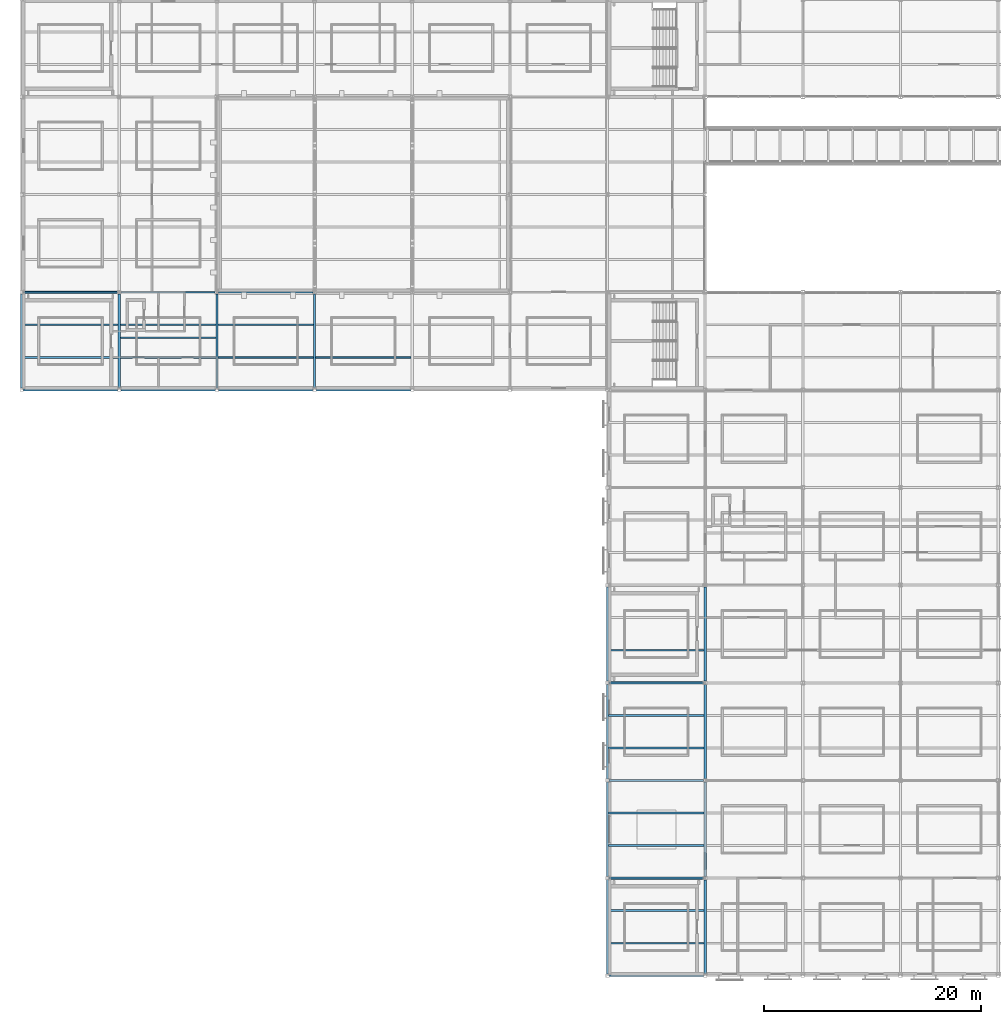
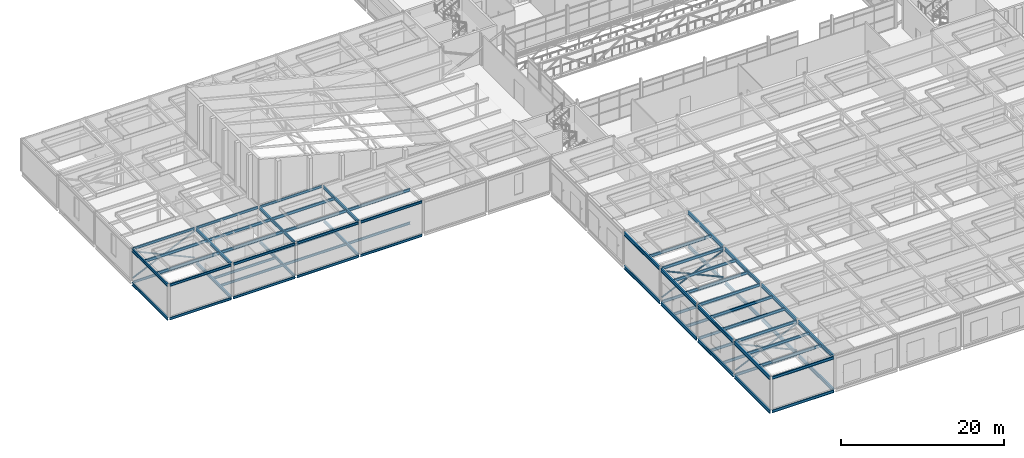
# One storey, part 17 of 115: 69 beams, 6 members.
"""IFC4 building model written with IfcOpenShell, lengths in metres."""

import ifcopenshell
import ifcopenshell.guid

model = None  # the IFC model being written
_history = None  # IfcOwnerHistory: only IFC2X3 demands one
_inside = {}  # id of a spatial element -> (the spatial element, [elements in it])
_under = {}  # id of a project, library or spatial element -> (it, [spatial elements below it])
_declared = {}  # id of a project -> (the project, [libraries it declares])
_typed = {}  # id of a type object -> (the type object, [elements of that type])
_made_of = {}  # id of a material, layer set ... -> (it, [elements and type objects made of it])


def new_model(schema):
    """Start an empty IFC model of exactly this schema.

    Asked for "IFC4X3", IfcOpenShell would pick the latest addendum, in which some entities
    have other attributes; the version numbers below select the first issue.
    IFC2X3 requires an IfcOwnerHistory on every rooted entity: one is made here for all.
    """
    global model, _history
    if schema == "IFC4X3":
        model = ifcopenshell.file(schema_version=(4, 3, 0, 0))
    else:
        model = ifcopenshell.file(schema=schema)
    _inside.clear()
    _under.clear()
    _declared.clear()
    _typed.clear()
    _made_of.clear()
    _history = None
    if model.schema == "IFC2X3":
        org = make("IfcOrganization", Name="unknown")
        user = make(
            "IfcPersonAndOrganization",
            ThePerson=make("IfcPerson", FamilyName="unknown"),
            TheOrganization=org,
        )
        app = make(
            "IfcApplication",
            ApplicationDeveloper=org,
            Version="unknown",
            ApplicationFullName="unknown",
            ApplicationIdentifier="unknown",
        )
        _history = make(
            "IfcOwnerHistory",
            OwningUser=user,
            OwningApplication=app,
            ChangeAction="ADDED",
            CreationDate=0,
        )
    return model


def make(cls, **values):
    """One entity of the class cls with the attributes given. An attribute that is None is left unset."""
    return model.create_entity(
        cls, **{name: value for name, value in values.items() if value is not None}
    )


def rooted(cls, **values):
    """An entity with a GlobalId (a new one), such as an element, a storey or a relation."""
    return make(cls, GlobalId=ifcopenshell.guid.new(), OwnerHistory=_history, **values)


def si_unit(unit_type, name, prefix=None):
    """IfcSIUnit, for example si_unit("LENGTHUNIT", "METRE", prefix="MILLI")."""
    return make("IfcSIUnit", UnitType=unit_type, Prefix=prefix, Name=name)


def assignment(units):
    """IfcUnitAssignment: the units of a project."""
    return None if units is None else make("IfcUnitAssignment", Units=units)


def point(xyz):
    """IfcCartesianPoint."""
    return None if xyz is None else make("IfcCartesianPoint", Coordinates=xyz)


def direction(xyz):
    """IfcDirection."""
    return None if xyz is None else make("IfcDirection", DirectionRatios=xyz)


def frame(location, z_axis=None, x_axis=None):
    """IfcAxis2Placement3D, a coordinate frame: its origin and axes. An axis left out is left unset."""
    return make(
        "IfcAxis2Placement3D",
        Location=point(location),
        Axis=direction(z_axis),
        RefDirection=direction(x_axis),
    )


def frame_2d(location, x_axis=None):
    """IfcAxis2Placement2D, a coordinate frame in the plane: its origin and x axis."""
    return make(
        "IfcAxis2Placement2D", Location=point(location), RefDirection=direction(x_axis)
    )


def origin():
    """The frame at (0, 0, 0) with its axes left unset."""
    return frame((0.0, 0.0, 0.0))


def origin_2d():
    """The frame at (0, 0) in the plane with its x axis left unset."""
    return frame_2d((0.0, 0.0))


def place(relative_to, where):
    """IfcLocalPlacement: puts the frame where relative to a parent placement (None: the world)."""
    return make(
        "IfcLocalPlacement", PlacementRelTo=relative_to, RelativePlacement=where
    )


def context(
    kind, dimensions, precision=None, world=None, true_north=None, identifier=None
):
    """IfcGeometricRepresentationContext, for example the 3D "Model" context."""
    return make(
        "IfcGeometricRepresentationContext",
        ContextIdentifier=identifier,
        ContextType=kind,
        CoordinateSpaceDimension=dimensions,
        Precision=precision,
        WorldCoordinateSystem=world,
        TrueNorth=true_north,
    )


def subcontext(parent, identifier, kind, view, scale=None):
    """IfcGeometricRepresentationSubContext, for example "Body" below "Model"."""
    return make(
        "IfcGeometricRepresentationSubContext",
        ContextIdentifier=identifier,
        ContextType=kind,
        ParentContext=parent,
        TargetScale=scale,
        TargetView=view,
    )


def project(units=None, contexts=None):
    """IfcProject with its units and contexts."""
    return rooted(
        "IfcProject",
        Name="project",
        RepresentationContexts=contexts,
        UnitsInContext=assignment(units),
    )


def spatial(cls, under=None, at=None, **own):
    """A site, building, storey or space (cls), placed at a placement, below another one or the project."""
    s = rooted(cls, ObjectPlacement=at, **own)
    if under is not None:
        _under.setdefault(under.id(), (under, []))[1].append(s)
    return s


def profile(cls, at=None, kind="AREA", **sizes):
    """A parametric profile (cls). Its sizes go by their IFC names, for example OverallWidth=200.0."""
    return make(cls, ProfileType=kind, Position=at, **sizes)


def hollow_circle(**sizes):
    """IfcCircleHollowProfileDef."""
    return profile("IfcCircleHollowProfileDef", **sizes)


def i_section(**sizes):
    """IfcIShapeProfileDef."""
    return profile("IfcIShapeProfileDef", **sizes)


def extrude(swept, where, along, depth):
    """IfcExtrudedAreaSolid: the profile swept, set in the frame where, extruded along a direction by depth."""
    return make(
        "IfcExtrudedAreaSolid",
        SweptArea=swept,
        Position=where,
        ExtrudedDirection=direction(along),
        Depth=depth,
    )


def shape(context_of_items, identifier, shape_type, items):
    """IfcShapeRepresentation: the items that make up one representation, for example the "Body"."""
    return make(
        "IfcShapeRepresentation",
        ContextOfItems=context_of_items,
        RepresentationIdentifier=identifier,
        RepresentationType=shape_type,
        Items=items,
    )


def material(Name=None, Category=None):
    """IfcMaterial."""
    return make("IfcMaterial", Name=Name, Category=Category)


def material_profile(
    of_material, cross_section, Name=None, Category=None, Priority=None
):
    """IfcMaterialProfile: a cross section and its material."""
    return make(
        "IfcMaterialProfile",
        Name=Name,
        Material=of_material,
        Profile=cross_section,
        Priority=Priority,
        Category=Category,
    )


def profile_set(profiles, Name=None, composite=None):
    """IfcMaterialProfileSet."""
    return make(
        "IfcMaterialProfileSet",
        Name=Name,
        MaterialProfiles=profiles,
        CompositeProfile=composite,
    )


def made_of(thing, what):
    """Note that an element or type object is made of a material, layer set ...; save() writes the relation."""
    if what is not None:
        _made_of.setdefault(what.id(), (what, []))[1].append(thing)
    return thing


def type_object(cls, material=None, **own):
    """A type object (cls), such as IfcWallType, which elements share."""
    return made_of(rooted(cls, **own), material)


def element(
    cls,
    number,
    at=None,
    inside=None,
    cuts=None,
    type_object=None,
    material=None,
    context=None,
    identifier="Body",
    shape_type=None,
    held_by="IfcProductDefinitionShape",
    body=None,
    shapes=None,
    **own,
):
    """One element of the class cls, such as IfcWall. Its Tag is "e" and its number.

    at: its placement. inside: the storey or other place that contains it. cuts: it is an
    opening in that element (IfcRelVoidsElement). A single representation is given by context,
    identifier, shape_type and body (its items); several are given by shapes. held_by: the class
    of the entity that holds the representations. save() writes the other relations.
    """
    e = rooted(cls, Tag="e%d" % number, ObjectPlacement=at, **own)
    if body is not None:
        shapes = [shape(context, identifier, shape_type, body)]
    if shapes is not None:
        e.Representation = make(held_by, Representations=shapes)
    if inside is not None:
        _inside.setdefault(inside.id(), (inside, []))[1].append(e)
    if cuts is not None:
        rooted(
            "IfcRelVoidsElement", RelatingBuildingElement=cuts, RelatedOpeningElement=e
        )
    if type_object is not None:
        _typed.setdefault(type_object.id(), (type_object, []))[1].append(e)
    return made_of(e, material)


def aggregate(whole, parts):
    """IfcRelAggregates: a whole, such as a stair, and the parts it consists of."""
    return rooted("IfcRelAggregates", RelatingObject=whole, RelatedObjects=parts)


def save(model, path):
    """Write the relations noted so far, then the file.

    IfcRelAggregates (storeys below a building ...), IfcRelContainedInSpatialStructure (elements
    in a storey), IfcRelDefinesByType, IfcRelAssociatesMaterial and IfcRelDeclares: one each for
    every whole, place, type object, material and project.
    """
    for whole, parts in _under.values():
        aggregate(whole, parts)
    for where, things in _inside.values():
        rooted(
            "IfcRelContainedInSpatialStructure",
            RelatedElements=things,
            RelatingStructure=where,
        )
    for kind, things in _typed.values():
        rooted("IfcRelDefinesByType", RelatedObjects=things, RelatingType=kind)
    for what, things in _made_of.values():
        rooted("IfcRelAssociatesMaterial", RelatedObjects=things, RelatingMaterial=what)
    for by, libraries in _declared.values():
        rooted("IfcRelDeclares", RelatingContext=by, RelatedDefinitions=libraries)
    model.write(path)


model = new_model("IFC4")

# Units and contexts
model_context = context("Model", 3, precision=1e-05, world=origin(), true_north=direction((0.0, 1.0)))
body_context = subcontext(model_context, "Body", "Model", "MODEL_VIEW")
ifc_project = project(units=[si_unit("LENGTHUNIT", "METRE"), si_unit("AREAUNIT", "SQUARE_METRE"), si_unit("VOLUMEUNIT", "CUBIC_METRE"), si_unit("PLANEANGLEUNIT", "RADIAN"), si_unit("MASSUNIT", "GRAM", prefix="KILO")], contexts=[model_context])

# Site, building, storey
site_placement = place(None, origin())
site = spatial("IfcSite", under=ifc_project, at=site_placement, CompositionType="ELEMENT")
building_placement = place(site_placement, origin())
building = spatial("IfcBuilding", under=site, at=building_placement, Name="Shorebreak Coast Museum", CompositionType="ELEMENT")
storey_placement = place(building_placement, frame((0.0, 0.0, 11.0)))
storey = spatial("IfcBuildingStorey", under=building, at=storey_placement, Name="L02", CompositionType="ELEMENT", Elevation=11.0)

# Beams
ifc_material_1 = material(Name="Steel Grade 300", Category="steel")
ifc_material_profile_1 = material_profile(ifc_material_1, i_section(OverallWidth=0.1708984375, OverallDepth=0.355712890625, WebThickness=0.00732421875, FlangeThickness=0.011474609375, FilletRadius=0.011474609375, at=origin_2d()), Name="360UB50.7")
ifc_profile_set_1 = profile_set([ifc_material_profile_1], Name="Steel Grade 300")
beam_type_1 = type_object("IfcBeamType", Name="Floor girder east-west 360UB50.7", PredefinedType="BEAM", material=ifc_profile_set_1)
for number, where, z_axis, x_axis, name in (
    (1, (0.14990234375, 54.0, -0.352783203125), (1.0, 0.0, 0.0), (0.0, 1.0, 0.0), "Floor girder east-west L02 1G"),
    (2, (9.14990234375, 54.0, -0.352783203125), (1.0, 0.0, 0.0), (0.0, 1.0, 0.0), "Floor girder east-west L02 2G"),
    (3, (18.14990234375, 54.0, -0.352783203125), (1.0, 0.0, 0.0), (0.0, 1.0, 0.0), "Floor girder east-west L02 3G"),
    (4, (27.14990234375, 54.0, -0.352783203125), (1.0, 0.0, 0.0), (0.0, 1.0, 0.0), "Floor girder east-west L02 4G"),
):
    element("IfcBeam", number, at=place(storey_placement, frame(where, z_axis=z_axis, x_axis=x_axis)), inside=storey, type_object=beam_type_1, Name=name, PredefinedType="BEAM", context=body_context, shape_type="SweptSolid", body=[
        extrude(i_section(OverallWidth=0.1708984375, OverallDepth=0.355712890625, WebThickness=0.00732421875, FlangeThickness=0.011474609375, FilletRadius=0.011474609375, at=origin_2d()), origin(), (0.0, 0.0, 1.0), 8.7001953125),
    ])
beam_1_placement = place(storey_placement, frame((0.14990234375, 63.0, -0.352783203125), z_axis=(1.0, 0.0, 0.0), x_axis=(0.0, 1.0, 0.0)))
element("IfcBeam", 5, at=beam_1_placement, inside=storey, type_object=beam_type_1, Name="Floor girder east-west L02 1H", PredefinedType="BEAM", context=body_context, shape_type="SweptSolid", body=[
    extrude(i_section(OverallWidth=0.1708984375, OverallDepth=0.355712890625, WebThickness=0.00732421875, FlangeThickness=0.011474609375, FilletRadius=0.011474609375, at=origin_2d()), origin(), (0.0, 0.0, 1.0), 8.695556640625),
])
beam_2_placement = place(storey_placement, frame((9.154541015625, 63.0, -0.352783203125), z_axis=(1.0, 0.0, 0.0), x_axis=(0.0, 1.0, 0.0)))
element("IfcBeam", 6, at=beam_2_placement, inside=storey, type_object=beam_type_1, Name="Floor girder east-west L02 2H", PredefinedType="BEAM", context=body_context, shape_type="SweptSolid", body=[
    extrude(i_section(OverallWidth=0.1708984375, OverallDepth=0.355712890625, WebThickness=0.00732421875, FlangeThickness=0.011474609375, FilletRadius=0.011474609375, at=origin_2d()), origin(), (0.0, 0.0, 1.0), 8.68994140625),
])
beam_3_placement = place(storey_placement, frame((18.155517578125, 63.0, -0.352783203125), z_axis=(1.0, 0.0, 0.0), x_axis=(0.0, 1.0, 0.0)))
element("IfcBeam", 7, at=beam_3_placement, inside=storey, type_object=beam_type_1, Name="Floor girder east-west L02 3H", PredefinedType="BEAM", context=body_context, shape_type="SweptSolid", body=[
    extrude(i_section(OverallWidth=0.1708984375, OverallDepth=0.355712890625, WebThickness=0.00732421875, FlangeThickness=0.011474609375, FilletRadius=0.011474609375, at=origin_2d()), origin(), (0.0, 0.0, 1.0), 8.68896484375),
])
ifc_material_2 = material(Name="Steel Grade 300", Category="steel")
ifc_material_profile_2 = material_profile(ifc_material_2, i_section(OverallWidth=0.177978515625, OverallDepth=0.406494140625, WebThickness=0.0078125, FlangeThickness=0.0126953125, FilletRadius=0.011474609375, at=origin_2d()), Name="410UB59.7")
ifc_profile_set_2 = profile_set([ifc_material_profile_2], Name="Steel Grade 300")
beam_type_2 = type_object("IfcBeamType", Name="Floor girder east-west 410UB59.7", PredefinedType="BEAM", material=ifc_profile_set_2)
beam_4_placement = place(storey_placement, frame((54.14990234375, 0.0, -0.378173828125), z_axis=(1.0, 0.0, 0.0), x_axis=(0.0, 1.0, 0.0)))
element("IfcBeam", 8, at=beam_4_placement, inside=storey, type_object=beam_type_2, Name="Floor girder east-west L02 7A", PredefinedType="BEAM", context=body_context, shape_type="SweptSolid", body=[
    extrude(i_section(OverallWidth=0.177978515625, OverallDepth=0.406494140625, WebThickness=0.0078125, FlangeThickness=0.0126953125, FilletRadius=0.011474609375, at=origin_2d()), origin(), (0.0, 0.0, 1.0), 8.7001953125),
])
for number, where, z_axis, x_axis, name in (
    (9, (54.14990234375, 9.0, -0.378173828125), (1.0, 0.0, 0.0), (0.0, 1.0, 0.0), "Floor girder east-west L02 7B"),
    (10, (54.14990234375, 18.0, -0.378173828125), (1.0, 0.0, 0.0), (0.0, 1.0, 0.0), "Floor girder east-west L02 7C"),
    (11, (54.14990234375, 27.0, -0.378173828125), (1.0, 0.0, 0.0), (0.0, 1.0, 0.0), "Floor girder east-west L02 7D"),
):
    element("IfcBeam", number, at=place(storey_placement, frame(where, z_axis=z_axis, x_axis=x_axis)), inside=storey, type_object=beam_type_2, Name=name, PredefinedType="BEAM", context=body_context, shape_type="SweptSolid", body=[
        extrude(i_section(OverallWidth=0.177978515625, OverallDepth=0.406494140625, WebThickness=0.0078125, FlangeThickness=0.0126953125, FilletRadius=0.011474609375, at=origin_2d()), origin(), (0.0, 0.0, 1.0), 8.695556640625),
    ])
ifc_material_3 = material(Name="Steel Grade 300", Category="steel")
ifc_material_profile_3 = material_profile(ifc_material_3, i_section(OverallWidth=0.19091796875, OverallDepth=0.46044921875, WebThickness=0.010009765625, FlangeThickness=0.01611328125, FilletRadius=0.011474609375, at=origin_2d()), Name="460UB82.1")
ifc_profile_set_3 = profile_set([ifc_material_profile_3], Name="Steel Grade 300")
beam_type_3 = type_object("IfcBeamType", Name="Floor girder north-south 460UB82.1", PredefinedType="BEAM", material=ifc_profile_set_3)
beam_5_placement = place(storey_placement, frame((0.0, 54.14990234375, -0.4052734375), z_axis=(0.0, 1.0, 0.0), x_axis=(-1.0, 0.0, 0.0)))
element("IfcBeam", 12, at=beam_5_placement, inside=storey, type_object=beam_type_3, Name="Floor girder north-south L02 1G", PredefinedType="BEAM", context=body_context, shape_type="SweptSolid", body=[
    extrude(i_section(OverallWidth=0.19091796875, OverallDepth=0.46044921875, WebThickness=0.010009765625, FlangeThickness=0.01611328125, FilletRadius=0.011474609375, at=origin_2d()), origin(), (0.0, 0.0, 1.0), 8.7001953125),
])
beam_6_placement = place(storey_placement, frame((9.0, 54.14990234375, -0.4052734375), z_axis=(0.0, 1.0, 0.0), x_axis=(-1.0, 0.0, 0.0)))
element("IfcBeam", 13, at=beam_6_placement, inside=storey, type_object=beam_type_3, Name="Floor girder north-south L02 2G", PredefinedType="BEAM", context=body_context, shape_type="SweptSolid", body=[
    extrude(i_section(OverallWidth=0.19091796875, OverallDepth=0.46044921875, WebThickness=0.010009765625, FlangeThickness=0.01611328125, FilletRadius=0.011474609375, at=origin_2d()), origin(), (0.0, 0.0, 1.0), 8.689697265625),
])
for number, where, z_axis, x_axis, name in (
    (14, (18.0, 54.14990234375, -0.4052734375), (0.0, 1.0, 0.0), (-1.0, 0.0, 0.0), "Floor girder north-south L02 3G"),
    (15, (27.0, 54.14990234375, -0.4052734375), (0.0, 1.0, 0.0), (-1.0, 0.0, 0.0), "Floor girder north-south L02 4G"),
):
    element("IfcBeam", number, at=place(storey_placement, frame(where, z_axis=z_axis, x_axis=x_axis)), inside=storey, type_object=beam_type_3, Name=name, PredefinedType="BEAM", context=body_context, shape_type="SweptSolid", body=[
        extrude(i_section(OverallWidth=0.19091796875, OverallDepth=0.46044921875, WebThickness=0.010009765625, FlangeThickness=0.01611328125, FilletRadius=0.011474609375, at=origin_2d()), origin(), (0.0, 0.0, 1.0), 8.6865234375),
    ])
ifc_material_4 = material(Name="Steel Grade 300", Category="steel")
ifc_material_profile_4 = material_profile(ifc_material_4, i_section(OverallWidth=0.208984375, OverallDepth=0.5283203125, WebThickness=0.009521484375, FlangeThickness=0.01318359375, FilletRadius=0.013916015625, at=origin_2d()), Name="530UB82.0")
ifc_profile_set_4 = profile_set([ifc_material_profile_4], Name="Steel Grade 300")
beam_type_4 = type_object("IfcBeamType", Name="Floor girder north-south 530UB82.0", PredefinedType="BEAM", material=ifc_profile_set_4)
beam_7_placement = place(storey_placement, frame((54.0, 0.14990234375, -0.439208984375), z_axis=(0.0, 1.0, 0.0), x_axis=(-1.0, 0.0, 0.0)))
element("IfcBeam", 16, at=beam_7_placement, inside=storey, type_object=beam_type_4, Name="Floor girder north-south L02 7A", PredefinedType="BEAM", context=body_context, shape_type="SweptSolid", body=[
    extrude(i_section(OverallWidth=0.208984375, OverallDepth=0.5283203125, WebThickness=0.009521484375, FlangeThickness=0.01318359375, FilletRadius=0.013916015625, at=origin_2d()), origin(), (0.0, 0.0, 1.0), 8.7001953125),
])
beam_8_placement = place(storey_placement, frame((63.0, 0.14990234375, -0.439208984375), z_axis=(0.0, 1.0, 0.0), x_axis=(-1.0, 0.0, 0.0)))
element("IfcBeam", 17, at=beam_8_placement, inside=storey, type_object=beam_type_4, Name="Floor girder north-south L02 8A", PredefinedType="BEAM", context=body_context, shape_type="SweptSolid", body=[
    extrude(i_section(OverallWidth=0.208984375, OverallDepth=0.5283203125, WebThickness=0.009521484375, FlangeThickness=0.01318359375, FilletRadius=0.013916015625, at=origin_2d()), origin(), (0.0, 0.0, 1.0), 8.689697265625),
])
beam_9_placement = place(storey_placement, frame((54.0, 9.14990234375, -0.439208984375), z_axis=(0.0, 1.0, 0.0), x_axis=(-1.0, 0.0, 0.0)))
element("IfcBeam", 18, at=beam_9_placement, inside=storey, type_object=beam_type_4, Name="Floor girder north-south L02 7B", PredefinedType="BEAM", context=body_context, shape_type="SweptSolid", body=[
    extrude(i_section(OverallWidth=0.208984375, OverallDepth=0.5283203125, WebThickness=0.009521484375, FlangeThickness=0.01318359375, FilletRadius=0.013916015625, at=origin_2d()), origin(), (0.0, 0.0, 1.0), 8.7001953125),
])
beam_10_placement = place(storey_placement, frame((63.0, 9.160400390625, -0.439208984375), z_axis=(0.0, 1.0, 0.0), x_axis=(-1.0, 0.0, 0.0)))
element("IfcBeam", 19, at=beam_10_placement, inside=storey, type_object=beam_type_4, Name="Floor girder north-south L02 8B", PredefinedType="BEAM", context=body_context, shape_type="SweptSolid", body=[
    extrude(i_section(OverallWidth=0.208984375, OverallDepth=0.5283203125, WebThickness=0.009521484375, FlangeThickness=0.01318359375, FilletRadius=0.013916015625, at=origin_2d()), origin(), (0.0, 0.0, 1.0), 8.67919921875),
])
beam_11_placement = place(storey_placement, frame((54.0, 18.14990234375, -0.439208984375), z_axis=(0.0, 1.0, 0.0), x_axis=(-1.0, 0.0, 0.0)))
element("IfcBeam", 20, at=beam_11_placement, inside=storey, type_object=beam_type_4, Name="Floor girder north-south L02 7C", PredefinedType="BEAM", context=body_context, shape_type="SweptSolid", body=[
    extrude(i_section(OverallWidth=0.208984375, OverallDepth=0.5283203125, WebThickness=0.009521484375, FlangeThickness=0.01318359375, FilletRadius=0.013916015625, at=origin_2d()), origin(), (0.0, 0.0, 1.0), 8.7001953125),
])
beam_12_placement = place(storey_placement, frame((63.0, 18.160400390625, -0.439208984375), z_axis=(0.0, 1.0, 0.0), x_axis=(-1.0, 0.0, 0.0)))
element("IfcBeam", 21, at=beam_12_placement, inside=storey, type_object=beam_type_4, Name="Floor girder north-south L02 8C", PredefinedType="BEAM", context=body_context, shape_type="SweptSolid", body=[
    extrude(i_section(OverallWidth=0.208984375, OverallDepth=0.5283203125, WebThickness=0.009521484375, FlangeThickness=0.01318359375, FilletRadius=0.013916015625, at=origin_2d()), origin(), (0.0, 0.0, 1.0), 8.67919921875),
])
beam_13_placement = place(storey_placement, frame((54.0, 27.14990234375, -0.439208984375), z_axis=(0.0, 1.0, 0.0), x_axis=(-1.0, 0.0, 0.0)))
element("IfcBeam", 22, at=beam_13_placement, inside=storey, type_object=beam_type_4, Name="Floor girder north-south L02 7D", PredefinedType="BEAM", context=body_context, shape_type="SweptSolid", body=[
    extrude(i_section(OverallWidth=0.208984375, OverallDepth=0.5283203125, WebThickness=0.009521484375, FlangeThickness=0.01318359375, FilletRadius=0.013916015625, at=origin_2d()), origin(), (0.0, 0.0, 1.0), 8.7001953125),
])
beam_14_placement = place(storey_placement, frame((63.0, 27.160400390625, -0.439208984375), z_axis=(0.0, 1.0, 0.0), x_axis=(-1.0, 0.0, 0.0)))
element("IfcBeam", 23, at=beam_14_placement, inside=storey, type_object=beam_type_4, Name="Floor girder north-south L02 8D", PredefinedType="BEAM", context=body_context, shape_type="SweptSolid", body=[
    extrude(i_section(OverallWidth=0.208984375, OverallDepth=0.5283203125, WebThickness=0.009521484375, FlangeThickness=0.01318359375, FilletRadius=0.013916015625, at=origin_2d()), origin(), (0.0, 0.0, 1.0), 8.67919921875),
])
ifc_material_5 = material(Name="Steel Grade 300", Category="steel")
ifc_material_profile_5 = material_profile(ifc_material_5, i_section(OverallWidth=0.1708984375, OverallDepth=0.355712890625, WebThickness=0.00732421875, FlangeThickness=0.011474609375, FilletRadius=0.011474609375, at=origin_2d()), Name="360UB50.7")
ifc_profile_set_5 = profile_set([ifc_material_profile_5], Name="Steel Grade 300")
beam_type_5 = type_object("IfcBeamType", Name="Floor joist 360UB50.7", PredefinedType="JOIST", material=ifc_profile_set_5)
for number, where, z_axis, x_axis, name in (
    (24, (9.095458984375, 57.0, -0.352783203125), (1.0, 0.0, 0.0), (0.0, 1.0, 0.0), "Floor joist L02 bay 2G at 3000 mm"),
    (25, (9.095458984375, 58.800048828125, -0.352783203125), (1.0, 0.0, 0.0), (0.0, 1.0, 0.0), "Floor joist L02 bay 2G at 4800 mm"),
    (26, (18.095458984375, 57.0, -0.352783203125), (1.0, 0.0, 0.0), (0.0, 1.0, 0.0), "Floor joist L02 bay 3G at 3000 mm"),
    (27, (18.095458984375, 60.0, -0.352783203125), (1.0, 0.0, 0.0), (0.0, 1.0, 0.0), "Floor joist L02 bay 3G at 6000 mm"),
    (28, (27.095458984375, 57.0, -0.352783203125), (1.0, 0.0, 0.0), (0.0, 1.0, 0.0), "Floor joist L02 bay 4G at 3000 mm"),
):
    element("IfcBeam", number, at=place(storey_placement, frame(where, z_axis=z_axis, x_axis=x_axis)), inside=storey, type_object=beam_type_5, Name=name, PredefinedType="JOIST", context=body_context, shape_type="SweptSolid", body=[
        extrude(i_section(OverallWidth=0.1708984375, OverallDepth=0.355712890625, WebThickness=0.00732421875, FlangeThickness=0.011474609375, FilletRadius=0.011474609375, at=origin_2d()), origin(), (0.0, 0.0, 1.0), 8.80908203125),
    ])
ifc_material_6 = material(Name="Steel Grade 300", Category="steel")
ifc_material_profile_6 = material_profile(ifc_material_6, i_section(OverallWidth=0.177978515625, OverallDepth=0.406494140625, WebThickness=0.0078125, FlangeThickness=0.0126953125, FilletRadius=0.011474609375, at=origin_2d()), Name="410UB59.7")
ifc_profile_set_6 = profile_set([ifc_material_profile_6], Name="Steel Grade 300")
beam_type_6 = type_object("IfcBeamType", Name="Floor joist 410UB59.7", PredefinedType="JOIST", material=ifc_profile_set_6)
for number, where, z_axis, x_axis, name in (
    (29, (54.1044921875, 12.0, -0.378173828125), (1.0, 0.0, 0.0), (0.0, 1.0, 0.0), "Floor joist L02 bay 7B at 3000 mm"),
    (30, (54.1044921875, 15.0, -0.378173828125), (1.0, 0.0, 0.0), (0.0, 1.0, 0.0), "Floor joist L02 bay 7B at 6000 mm"),
    (31, (54.1044921875, 21.0, -0.378173828125), (1.0, 0.0, 0.0), (0.0, 1.0, 0.0), "Floor joist L02 bay 7C at 3000 mm"),
    (32, (54.1044921875, 24.0, -0.378173828125), (1.0, 0.0, 0.0), (0.0, 1.0, 0.0), "Floor joist L02 bay 7C at 6000 mm"),
):
    element("IfcBeam", number, at=place(storey_placement, frame(where, z_axis=z_axis, x_axis=x_axis)), inside=storey, type_object=beam_type_6, Name=name, PredefinedType="JOIST", context=body_context, shape_type="SweptSolid", body=[
        extrude(i_section(OverallWidth=0.177978515625, OverallDepth=0.406494140625, WebThickness=0.0078125, FlangeThickness=0.0126953125, FilletRadius=0.011474609375, at=origin_2d()), origin(), (0.0, 0.0, 1.0), 8.791015625),
    ])
ifc_material_7 = material(Name="Steel Grade 300", Category="steel")
ifc_material_profile_7 = material_profile(ifc_material_7, i_section(OverallWidth=0.1708984375, OverallDepth=0.355712890625, WebThickness=0.00732421875, FlangeThickness=0.011474609375, FilletRadius=0.011474609375, at=origin_2d()), Name="360UB50.7")
ifc_profile_set_7 = profile_set([ifc_material_profile_7], Name="Steel Grade 300")
beam_type_7 = type_object("IfcBeamType", Name="Roof deck girder east-west 360UB50.7", PredefinedType="BEAM", material=ifc_profile_set_7)
for number, where, z_axis, x_axis, name in (
    (33, (0.14990234375, 54.0, 4.647216796875), (1.0, 0.0, 0.0), (0.0, 1.0, 0.0), "Roof deck girder east-west L03 1G"),
    (34, (9.14990234375, 54.0, 4.647216796875), (1.0, 0.0, 0.0), (0.0, 1.0, 0.0), "Roof deck girder east-west L03 2G"),
    (35, (18.14990234375, 54.0, 4.647216796875), (1.0, 0.0, 0.0), (0.0, 1.0, 0.0), "Roof deck girder east-west L03 3G"),
    (36, (27.14990234375, 54.0, 4.647216796875), (1.0, 0.0, 0.0), (0.0, 1.0, 0.0), "Roof deck girder east-west L03 4G"),
):
    element("IfcBeam", number, at=place(storey_placement, frame(where, z_axis=z_axis, x_axis=x_axis)), inside=storey, type_object=beam_type_7, Name=name, PredefinedType="BEAM", context=body_context, shape_type="SweptSolid", body=[
        extrude(i_section(OverallWidth=0.1708984375, OverallDepth=0.355712890625, WebThickness=0.00732421875, FlangeThickness=0.011474609375, FilletRadius=0.011474609375, at=origin_2d()), origin(), (0.0, 0.0, 1.0), 8.7001953125),
    ])
beam_15_placement = place(storey_placement, frame((0.14990234375, 63.0, 4.647216796875), z_axis=(1.0, 0.0, 0.0), x_axis=(0.0, 1.0, 0.0)))
element("IfcBeam", 37, at=beam_15_placement, inside=storey, type_object=beam_type_7, Name="Roof deck girder east-west L03 1H", PredefinedType="BEAM", context=body_context, shape_type="SweptSolid", body=[
    extrude(i_section(OverallWidth=0.1708984375, OverallDepth=0.355712890625, WebThickness=0.00732421875, FlangeThickness=0.011474609375, FilletRadius=0.011474609375, at=origin_2d()), origin(), (0.0, 0.0, 1.0), 8.696533203125),
])
beam_16_placement = place(storey_placement, frame((9.153564453125, 63.0, 4.647216796875), z_axis=(1.0, 0.0, 0.0), x_axis=(0.0, 1.0, 0.0)))
element("IfcBeam", 38, at=beam_16_placement, inside=storey, type_object=beam_type_7, Name="Roof deck girder east-west L03 2H", PredefinedType="BEAM", context=body_context, shape_type="SweptSolid", body=[
    extrude(i_section(OverallWidth=0.1708984375, OverallDepth=0.355712890625, WebThickness=0.00732421875, FlangeThickness=0.011474609375, FilletRadius=0.011474609375, at=origin_2d()), origin(), (0.0, 0.0, 1.0), 8.69091796875),
])
beam_17_placement = place(storey_placement, frame((18.155517578125, 63.0, 4.647216796875), z_axis=(1.0, 0.0, 0.0), x_axis=(0.0, 1.0, 0.0)))
element("IfcBeam", 39, at=beam_17_placement, inside=storey, type_object=beam_type_7, Name="Roof deck girder east-west L03 3H", PredefinedType="BEAM", context=body_context, shape_type="SweptSolid", body=[
    extrude(i_section(OverallWidth=0.1708984375, OverallDepth=0.355712890625, WebThickness=0.00732421875, FlangeThickness=0.011474609375, FilletRadius=0.011474609375, at=origin_2d()), origin(), (0.0, 0.0, 1.0), 8.68896484375),
])
ifc_material_8 = material(Name="Steel Grade 300", Category="steel")
ifc_material_profile_8 = material_profile(ifc_material_8, i_section(OverallWidth=0.177978515625, OverallDepth=0.406494140625, WebThickness=0.0078125, FlangeThickness=0.0126953125, FilletRadius=0.011474609375, at=origin_2d()), Name="410UB59.7")
ifc_profile_set_8 = profile_set([ifc_material_profile_8], Name="Steel Grade 300")
beam_type_8 = type_object("IfcBeamType", Name="Roof deck girder east-west 410UB59.7", PredefinedType="BEAM", material=ifc_profile_set_8)
beam_18_placement = place(storey_placement, frame((54.14990234375, 0.0, 4.621826171875), z_axis=(1.0, 0.0, 0.0), x_axis=(0.0, 1.0, 0.0)))
element("IfcBeam", 40, at=beam_18_placement, inside=storey, type_object=beam_type_8, Name="Roof deck girder east-west L03 7A", PredefinedType="BEAM", context=body_context, shape_type="SweptSolid", body=[
    extrude(i_section(OverallWidth=0.177978515625, OverallDepth=0.406494140625, WebThickness=0.0078125, FlangeThickness=0.0126953125, FilletRadius=0.011474609375, at=origin_2d()), origin(), (0.0, 0.0, 1.0), 8.7001953125),
])
for number, where, z_axis, x_axis, name in (
    (41, (54.14990234375, 9.0, 4.621826171875), (1.0, 0.0, 0.0), (0.0, 1.0, 0.0), "Roof deck girder east-west L03 7B"),
    (42, (54.14990234375, 18.0, 4.621826171875), (1.0, 0.0, 0.0), (0.0, 1.0, 0.0), "Roof deck girder east-west L03 7C"),
    (43, (54.14990234375, 27.0, 4.621826171875), (1.0, 0.0, 0.0), (0.0, 1.0, 0.0), "Roof deck girder east-west L03 7D"),
):
    element("IfcBeam", number, at=place(storey_placement, frame(where, z_axis=z_axis, x_axis=x_axis)), inside=storey, type_object=beam_type_8, Name=name, PredefinedType="BEAM", context=body_context, shape_type="SweptSolid", body=[
        extrude(i_section(OverallWidth=0.177978515625, OverallDepth=0.406494140625, WebThickness=0.0078125, FlangeThickness=0.0126953125, FilletRadius=0.011474609375, at=origin_2d()), origin(), (0.0, 0.0, 1.0), 8.696533203125),
    ])
ifc_material_9 = material(Name="Steel Grade 300", Category="steel")
ifc_material_profile_9 = material_profile(ifc_material_9, i_section(OverallWidth=0.18994140625, OverallDepth=0.453857421875, WebThickness=0.008544921875, FlangeThickness=0.0126953125, FilletRadius=0.011474609375, at=origin_2d()), Name="460UB67.1")
ifc_profile_set_9 = profile_set([ifc_material_profile_9], Name="Steel Grade 300")
beam_type_9 = type_object("IfcBeamType", Name="Roof deck girder north-south 460UB67.1", PredefinedType="BEAM", material=ifc_profile_set_9)
beam_19_placement = place(storey_placement, frame((0.0, 54.14990234375, 4.59814453125), z_axis=(0.0, 1.0, 0.0), x_axis=(-1.0, 0.0, 0.0)))
element("IfcBeam", 44, at=beam_19_placement, inside=storey, type_object=beam_type_9, Name="Roof deck girder north-south L03 1G", PredefinedType="BEAM", context=body_context, shape_type="SweptSolid", body=[
    extrude(i_section(OverallWidth=0.18994140625, OverallDepth=0.453857421875, WebThickness=0.008544921875, FlangeThickness=0.0126953125, FilletRadius=0.011474609375, at=origin_2d()), origin(), (0.0, 0.0, 1.0), 8.7001953125),
])
beam_20_placement = place(storey_placement, frame((9.0, 54.14990234375, 4.59814453125), z_axis=(0.0, 1.0, 0.0), x_axis=(-1.0, 0.0, 0.0)))
element("IfcBeam", 45, at=beam_20_placement, inside=storey, type_object=beam_type_9, Name="Roof deck girder north-south L03 2G", PredefinedType="BEAM", context=body_context, shape_type="SweptSolid", body=[
    extrude(i_section(OverallWidth=0.18994140625, OverallDepth=0.453857421875, WebThickness=0.008544921875, FlangeThickness=0.0126953125, FilletRadius=0.011474609375, at=origin_2d()), origin(), (0.0, 0.0, 1.0), 8.69287109375),
])
for number, where, z_axis, x_axis, name in (
    (46, (18.0, 54.14990234375, 4.59814453125), (0.0, 1.0, 0.0), (-1.0, 0.0, 0.0), "Roof deck girder north-south L03 3G"),
    (47, (27.0, 54.14990234375, 4.59814453125), (0.0, 1.0, 0.0), (-1.0, 0.0, 0.0), "Roof deck girder north-south L03 4G"),
):
    element("IfcBeam", number, at=place(storey_placement, frame(where, z_axis=z_axis, x_axis=x_axis)), inside=storey, type_object=beam_type_9, Name=name, PredefinedType="BEAM", context=body_context, shape_type="SweptSolid", body=[
        extrude(i_section(OverallWidth=0.18994140625, OverallDepth=0.453857421875, WebThickness=0.008544921875, FlangeThickness=0.0126953125, FilletRadius=0.011474609375, at=origin_2d()), origin(), (0.0, 0.0, 1.0), 8.6865234375),
    ])
ifc_material_10 = material(Name="Steel Grade 300", Category="steel")
ifc_material_profile_10 = material_profile(ifc_material_10, i_section(OverallWidth=0.208984375, OverallDepth=0.5283203125, WebThickness=0.009521484375, FlangeThickness=0.01318359375, FilletRadius=0.013916015625, at=origin_2d()), Name="530UB82.0")
ifc_profile_set_10 = profile_set([ifc_material_profile_10], Name="Steel Grade 300")
beam_type_10 = type_object("IfcBeamType", Name="Roof deck girder north-south 530UB82.0", PredefinedType="BEAM", material=ifc_profile_set_10)
beam_21_placement = place(storey_placement, frame((54.0, 0.14990234375, 4.560791015625), z_axis=(0.0, 1.0, 0.0), x_axis=(-1.0, 0.0, 0.0)))
element("IfcBeam", 48, at=beam_21_placement, inside=storey, type_object=beam_type_10, Name="Roof deck girder north-south L03 7A", PredefinedType="BEAM", context=body_context, shape_type="SweptSolid", body=[
    extrude(i_section(OverallWidth=0.208984375, OverallDepth=0.5283203125, WebThickness=0.009521484375, FlangeThickness=0.01318359375, FilletRadius=0.013916015625, at=origin_2d()), origin(), (0.0, 0.0, 1.0), 8.7001953125),
])
beam_22_placement = place(storey_placement, frame((63.0, 0.14990234375, 4.560791015625), z_axis=(0.0, 1.0, 0.0), x_axis=(-1.0, 0.0, 0.0)))
element("IfcBeam", 49, at=beam_22_placement, inside=storey, type_object=beam_type_10, Name="Roof deck girder north-south L03 8A", PredefinedType="BEAM", context=body_context, shape_type="SweptSolid", body=[
    extrude(i_section(OverallWidth=0.208984375, OverallDepth=0.5283203125, WebThickness=0.009521484375, FlangeThickness=0.01318359375, FilletRadius=0.013916015625, at=origin_2d()), origin(), (0.0, 0.0, 1.0), 8.69287109375),
])
beam_23_placement = place(storey_placement, frame((54.0, 9.14990234375, 4.560791015625), z_axis=(0.0, 1.0, 0.0), x_axis=(-1.0, 0.0, 0.0)))
element("IfcBeam", 50, at=beam_23_placement, inside=storey, type_object=beam_type_10, Name="Roof deck girder north-south L03 7B", PredefinedType="BEAM", context=body_context, shape_type="SweptSolid", body=[
    extrude(i_section(OverallWidth=0.208984375, OverallDepth=0.5283203125, WebThickness=0.009521484375, FlangeThickness=0.01318359375, FilletRadius=0.013916015625, at=origin_2d()), origin(), (0.0, 0.0, 1.0), 8.7001953125),
])
beam_24_placement = place(storey_placement, frame((63.0, 9.1572265625, 4.560791015625), z_axis=(0.0, 1.0, 0.0), x_axis=(-1.0, 0.0, 0.0)))
element("IfcBeam", 51, at=beam_24_placement, inside=storey, type_object=beam_type_10, Name="Roof deck girder north-south L03 8B", PredefinedType="BEAM", context=body_context, shape_type="SweptSolid", body=[
    extrude(i_section(OverallWidth=0.208984375, OverallDepth=0.5283203125, WebThickness=0.009521484375, FlangeThickness=0.01318359375, FilletRadius=0.013916015625, at=origin_2d()), origin(), (0.0, 0.0, 1.0), 8.685546875),
])
beam_25_placement = place(storey_placement, frame((54.0, 18.14990234375, 4.560791015625), z_axis=(0.0, 1.0, 0.0), x_axis=(-1.0, 0.0, 0.0)))
element("IfcBeam", 52, at=beam_25_placement, inside=storey, type_object=beam_type_10, Name="Roof deck girder north-south L03 7C", PredefinedType="BEAM", context=body_context, shape_type="SweptSolid", body=[
    extrude(i_section(OverallWidth=0.208984375, OverallDepth=0.5283203125, WebThickness=0.009521484375, FlangeThickness=0.01318359375, FilletRadius=0.013916015625, at=origin_2d()), origin(), (0.0, 0.0, 1.0), 8.7001953125),
])
beam_26_placement = place(storey_placement, frame((63.0, 18.1572265625, 4.560791015625), z_axis=(0.0, 1.0, 0.0), x_axis=(-1.0, 0.0, 0.0)))
element("IfcBeam", 53, at=beam_26_placement, inside=storey, type_object=beam_type_10, Name="Roof deck girder north-south L03 8C", PredefinedType="BEAM", context=body_context, shape_type="SweptSolid", body=[
    extrude(i_section(OverallWidth=0.208984375, OverallDepth=0.5283203125, WebThickness=0.009521484375, FlangeThickness=0.01318359375, FilletRadius=0.013916015625, at=origin_2d()), origin(), (0.0, 0.0, 1.0), 8.685546875),
])
beam_27_placement = place(storey_placement, frame((54.0, 27.14990234375, 4.560791015625), z_axis=(0.0, 1.0, 0.0), x_axis=(-1.0, 0.0, 0.0)))
element("IfcBeam", 54, at=beam_27_placement, inside=storey, type_object=beam_type_10, Name="Roof deck girder north-south L03 7D", PredefinedType="BEAM", context=body_context, shape_type="SweptSolid", body=[
    extrude(i_section(OverallWidth=0.208984375, OverallDepth=0.5283203125, WebThickness=0.009521484375, FlangeThickness=0.01318359375, FilletRadius=0.013916015625, at=origin_2d()), origin(), (0.0, 0.0, 1.0), 8.7001953125),
])
beam_28_placement = place(storey_placement, frame((63.0, 27.1572265625, 4.560791015625), z_axis=(0.0, 1.0, 0.0), x_axis=(-1.0, 0.0, 0.0)))
element("IfcBeam", 55, at=beam_28_placement, inside=storey, type_object=beam_type_10, Name="Roof deck girder north-south L03 8D", PredefinedType="BEAM", context=body_context, shape_type="SweptSolid", body=[
    extrude(i_section(OverallWidth=0.208984375, OverallDepth=0.5283203125, WebThickness=0.009521484375, FlangeThickness=0.01318359375, FilletRadius=0.013916015625, at=origin_2d()), origin(), (0.0, 0.0, 1.0), 8.685546875),
])
ifc_material_11 = material(Name="Steel Grade 300", Category="steel")
ifc_material_profile_11 = material_profile(ifc_material_11, i_section(OverallWidth=0.177978515625, OverallDepth=0.402587890625, WebThickness=0.007568359375, FlangeThickness=0.010986328125, FilletRadius=0.011474609375, at=origin_2d()), Name="410UB53.7")
ifc_profile_set_11 = profile_set([ifc_material_profile_11], Name="Steel Grade 300")
beam_type_11 = type_object("IfcBeamType", Name="Roof deck joist 410UB53.7", PredefinedType="JOIST", material=ifc_profile_set_11)
for number, where, z_axis, x_axis, name in (
    (56, (54.1044921875, 3.0, 4.623779296875), (1.0, 0.0, 0.0), (0.0, 1.0, 0.0), "Roof deck joist L03 bay 7A at 3000 mm"),
    (57, (54.1044921875, 6.0, 4.623779296875), (1.0, 0.0, 0.0), (0.0, 1.0, 0.0), "Roof deck joist L03 bay 7A at 6000 mm"),
    (58, (54.1044921875, 12.0, 4.623779296875), (1.0, 0.0, 0.0), (0.0, 1.0, 0.0), "Roof deck joist L03 bay 7B at 3000 mm"),
    (59, (54.1044921875, 15.0, 4.623779296875), (1.0, 0.0, 0.0), (0.0, 1.0, 0.0), "Roof deck joist L03 bay 7B at 6000 mm"),
    (60, (54.1044921875, 21.0, 4.623779296875), (1.0, 0.0, 0.0), (0.0, 1.0, 0.0), "Roof deck joist L03 bay 7C at 3000 mm"),
    (61, (54.1044921875, 24.0, 4.623779296875), (1.0, 0.0, 0.0), (0.0, 1.0, 0.0), "Roof deck joist L03 bay 7C at 6000 mm"),
    (62, (54.1044921875, 30.0, 4.623779296875), (1.0, 0.0, 0.0), (0.0, 1.0, 0.0), "Roof deck joist L03 bay 7D at 3000 mm"),
):
    element("IfcBeam", number, at=place(storey_placement, frame(where, z_axis=z_axis, x_axis=x_axis)), inside=storey, type_object=beam_type_11, Name=name, PredefinedType="JOIST", context=body_context, shape_type="SweptSolid", body=[
        extrude(i_section(OverallWidth=0.177978515625, OverallDepth=0.402587890625, WebThickness=0.007568359375, FlangeThickness=0.010986328125, FilletRadius=0.011474609375, at=origin_2d()), origin(), (0.0, 0.0, 1.0), 8.791015625),
    ])
for number, where, z_axis, x_axis, name in (
    (63, (0.094970703125, 57.0, 4.623779296875), (1.0, 0.0, 0.0), (0.0, 1.0, 0.0), "Roof deck joist L03 bay 1G at 3000 mm"),
    (64, (0.094970703125, 60.0, 4.623779296875), (1.0, 0.0, 0.0), (0.0, 1.0, 0.0), "Roof deck joist L03 bay 1G at 6000 mm"),
    (65, (9.094970703125, 57.0, 4.623779296875), (1.0, 0.0, 0.0), (0.0, 1.0, 0.0), "Roof deck joist L03 bay 2G at 3000 mm"),
    (66, (9.094970703125, 60.0, 4.623779296875), (1.0, 0.0, 0.0), (0.0, 1.0, 0.0), "Roof deck joist L03 bay 2G at 6000 mm"),
    (67, (18.094970703125, 57.0, 4.623779296875), (1.0, 0.0, 0.0), (0.0, 1.0, 0.0), "Roof deck joist L03 bay 3G at 3000 mm"),
    (68, (18.094970703125, 60.0, 4.623779296875), (1.0, 0.0, 0.0), (0.0, 1.0, 0.0), "Roof deck joist L03 bay 3G at 6000 mm"),
    (69, (27.094970703125, 57.0, 4.623779296875), (1.0, 0.0, 0.0), (0.0, 1.0, 0.0), "Roof deck joist L03 bay 4G at 3000 mm"),
):
    element("IfcBeam", number, at=place(storey_placement, frame(where, z_axis=z_axis, x_axis=x_axis)), inside=storey, type_object=beam_type_11, Name=name, PredefinedType="JOIST", context=body_context, shape_type="SweptSolid", body=[
        extrude(i_section(OverallWidth=0.177978515625, OverallDepth=0.402587890625, WebThickness=0.007568359375, FlangeThickness=0.010986328125, FilletRadius=0.011474609375, at=origin_2d()), origin(), (0.0, 0.0, 1.0), 8.81005859375),
    ])

# Members
ifc_material_12 = material(Name="Steel Grade C350L0", Category="steel")
ifc_material_profile_12 = material_profile(ifc_material_12, hollow_circle(Radius=0.109619140625, WallThickness=0.00830078125, at=origin_2d()), Name="219.1x8.2 CHS")
ifc_profile_set_12 = profile_set([ifc_material_profile_12], Name="Steel Grade C350L0")
member_type = type_object("IfcMemberType", Name="X-brace 219.1x8.2 CHS", PredefinedType="BRACE", material=ifc_profile_set_12)
for number, where, z_axis, x_axis, name in (
    (70, (0.14990234375, 63.0, 0.300048828125), (0.90950233373, 0.0, 0.415698815178), (0.0, 1.0, 0.0), "X-brace bay 05 L02 diagonal 1"),
    (71, (8.846435546875, 63.0, 0.300048828125), (-0.90950233373, 0.0, 0.415698815178), (0.0, -1.0, 0.0), "X-brace bay 05 L02 diagonal 2"),
    (72, (54.14990234375, 9.0, 0.300048828125), (0.90950233373, 0.0, 0.415698815178), (0.0, 1.0, 0.0), "X-brace bay 13 L02 diagonal 1"),
    (73, (62.846435546875, 9.0, 0.300048828125), (-0.90950233373, 0.0, 0.415698815178), (0.0, -1.0, 0.0), "X-brace bay 13 L02 diagonal 2"),
    (74, (54.14990234375, 27.0, 0.300048828125), (0.90950233373, 0.0, 0.415698815178), (0.0, 1.0, 0.0), "X-brace bay 15 L02 diagonal 1"),
    (75, (62.846435546875, 27.0, 0.300048828125), (-0.90950233373, 0.0, 0.415698815178), (0.0, -1.0, 0.0), "X-brace bay 15 L02 diagonal 2"),
):
    element("IfcMember", number, at=place(storey_placement, frame(where, z_axis=z_axis, x_axis=x_axis)), inside=storey, type_object=member_type, Name=name, PredefinedType="BRACE", context=body_context, shape_type="SweptSolid", body=[
        extrude(hollow_circle(Radius=0.109619140625, WallThickness=0.00830078125, at=origin_2d()), origin(), (0.0, 0.0, 1.0), 9.561767578125),
    ])

save(model, "model.ifc")
